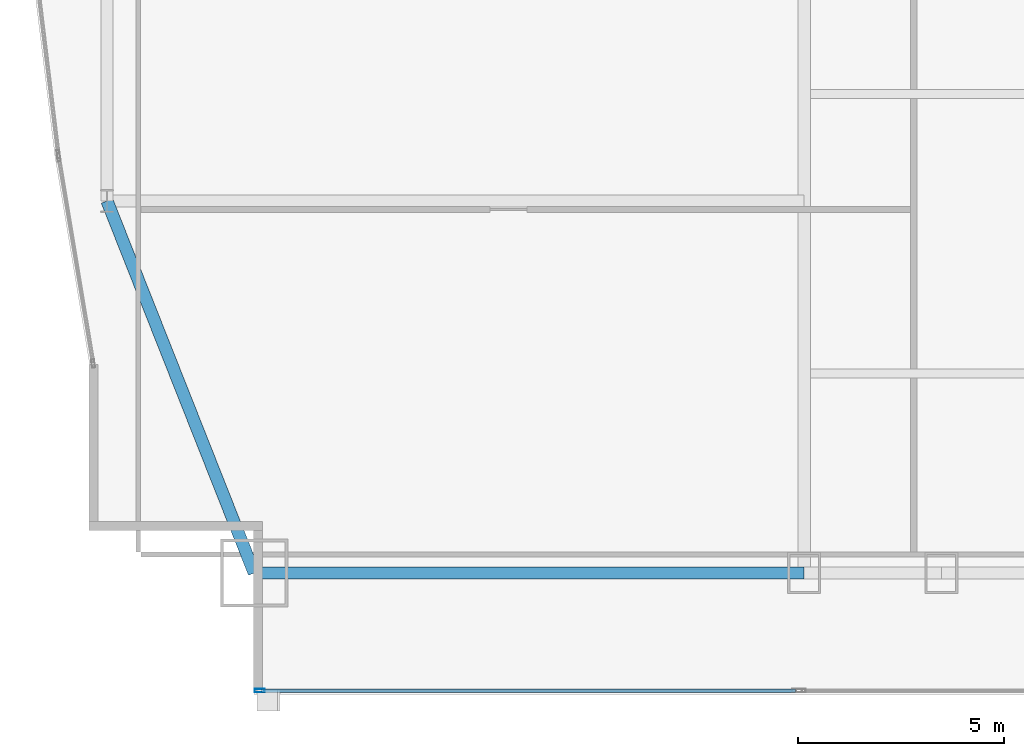
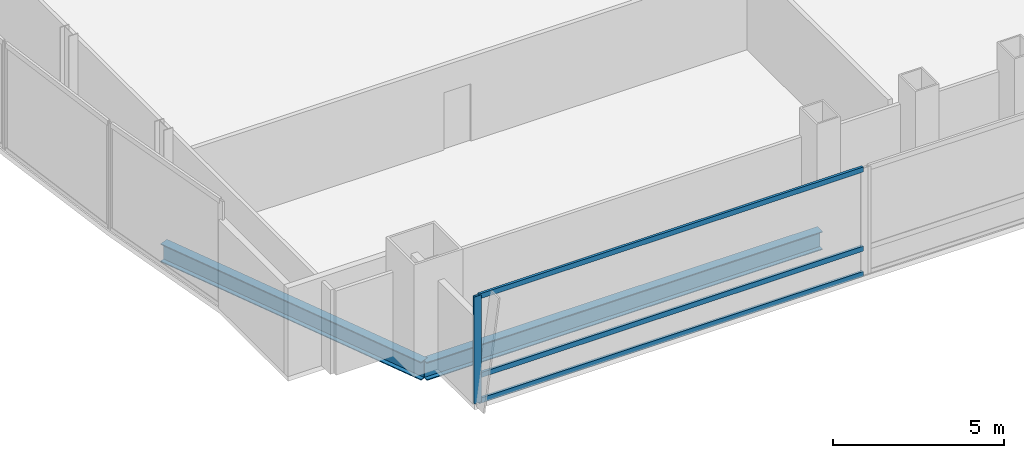
# One storey, part 5 of 32: 4 members, 2 beams, 1 element without a shape of its own.
"""IFC4 building model written with IfcOpenShell, lengths in metres."""

from ifc_helpers import new_model, si_unit, direction, frame, origin, origin_2d, place, context, subcontext, project, spatial, hollow_rectangle, i_section, extrude, material, material_profile, profile_set, type_object, element, aggregate, save


model = new_model("IFC4")

# Units and contexts
model_context = context("Model", 3, precision=1e-05, world=origin(), true_north=direction((0.0, 1.0)))
body_context = subcontext(model_context, "Body", "Model", "MODEL_VIEW")
ifc_project = project(units=[si_unit("LENGTHUNIT", "METRE"), si_unit("AREAUNIT", "SQUARE_METRE"), si_unit("VOLUMEUNIT", "CUBIC_METRE"), si_unit("PLANEANGLEUNIT", "RADIAN"), si_unit("MASSUNIT", "GRAM", prefix="KILO")], contexts=[model_context])

# Site, building, storey
site_placement = place(None, origin())
site = spatial("IfcSite", under=ifc_project, at=site_placement, CompositionType="ELEMENT")
building_placement = place(site_placement, origin())
building = spatial("IfcBuilding", under=site, at=building_placement, Name="Khoronbel Lancet Exchange", CompositionType="ELEMENT")
storey_placement = place(building_placement, frame((0.0, 0.0, 41.800048828125)))
storey = spatial("IfcBuildingStorey", under=building, at=storey_placement, Name="L09", CompositionType="ELEMENT", Elevation=41.800048828125)

# Beams
ifc_material_1 = material(Name="Steel S355", Category="steel")
ifc_material_profile_1 = material_profile(ifc_material_1, i_section(OverallWidth=0.300048828125, OverallDepth=0.64990234375, WebThickness=0.01611328125, FlangeThickness=0.031005859375, at=origin_2d()), Name="HEB 650")
ifc_profile_set_1 = profile_set([ifc_material_profile_1], Name="Steel S355")
beam_type = type_object("IfcBeamType", Name="BM-BSP1", PredefinedType="SPANDREL", material=ifc_profile_set_1)
beam_1_placement = place(storey_placement, frame((4.85009765625, 10.14990234375, -0.505126953125), z_axis=(1.0, 0.0, 0.0), x_axis=(0.0, 1.0, 0.0)))
element("IfcBeam", 1, at=beam_1_placement, inside=storey, type_object=beam_type, Name="Level L09 perimeter spandrel beam SP01", PredefinedType="SPANDREL", context=body_context, shape_type="SweptSolid", body=[
    extrude(i_section(OverallWidth=0.300048828125, OverallDepth=0.64990234375, WebThickness=0.01611328125, FlangeThickness=0.031005859375, at=origin_2d()), origin(), (0.0, 0.0, 1.0), 13.375),
])
beam_2_placement = place(storey_placement, frame((1.27001953125, 19.199951171875, -0.505126953125), z_axis=(0.367850095026, -0.92988510451, 0.0), x_axis=(0.92988510451, 0.367850095026, 0.0)))
element("IfcBeam", 2, at=beam_2_placement, inside=storey, type_object=beam_type, Name="Level L09 perimeter spandrel beam SP21", PredefinedType="SPANDREL", context=body_context, shape_type="SweptSolid", body=[
    extrude(i_section(OverallWidth=0.300048828125, OverallDepth=0.64990234375, WebThickness=0.01611328125, FlangeThickness=0.031005859375, at=origin_2d()), origin(), (0.0, 0.0, 1.0), 9.732421875),
])

# Curtain wall, members
ifc_material_2 = material(Name="Low-E Solar Control Insulating Glass", Category="glass")
curtain_wall_type = type_object("IfcCurtainWallType", Name="CW-1", PredefinedType="NOTDEFINED", material=ifc_material_2)
curtain_wall_placement = place(storey_placement, origin())
curtain_wall = element("IfcCurtainWall", 3, at=curtain_wall_placement, inside=storey, type_object=curtain_wall_type, Name="Unitised curtain wall CW-L09-SWV", PredefinedType="NOTDEFINED")
ifc_material_3 = material(Name="Bronze-Anodised Aluminium 6063-T6", Category="aluminium")
ifc_material_profile_2 = material_profile(ifc_material_3, hollow_rectangle(XDim=0.0849609375, YDim=0.239990234375, WallThickness=0.006103515625, at=origin_2d()), Name="ALU MULLION 85x240")
ifc_profile_set_2 = profile_set([ifc_material_profile_2], Name="Bronze-Anodised Aluminium 6063-T6")
member_type_1 = type_object("IfcMemberType", Name="MEM-CWM1", PredefinedType="MULLION", material=ifc_profile_set_2)
member_1_placement = place(storey_placement, frame((4.982421875, 7.2900390625, 0.0), z_axis=(0.0, 0.0, 1.0), x_axis=(0.0, 1.0, 0.0)))
member_1 = element("IfcMember", 4, at=member_1_placement, type_object=member_type_1, Name="CW1 mullion 1", PredefinedType="MULLION", context=body_context, shape_type="SweptSolid", body=[
    extrude(hollow_rectangle(XDim=0.0849609375, YDim=0.239990234375, WallThickness=0.006103515625, at=origin_2d()), origin(), (0.0, 0.0, 1.0), 3.820068359375),
])
ifc_material_profile_3 = material_profile(ifc_material_3, hollow_rectangle(XDim=0.0849609375, YDim=0.179931640625, WallThickness=0.0048828125, at=origin_2d()), Name="ALU TRANSOM 85x180")
ifc_profile_set_3 = profile_set([ifc_material_profile_3], Name="Bronze-Anodised Aluminium 6063-T6")
member_type_2 = type_object("IfcMemberType", Name="MEM-CWT1", PredefinedType="USERDEFINED", material=ifc_profile_set_3)
member_2_placement = place(storey_placement, frame((5.02490234375, 7.2900390625, 0.04248046875), z_axis=(1.0, 0.0, 0.0), x_axis=(0.0, 1.0, 0.0)))
member_2 = element("IfcMember", 5, at=member_2_placement, type_object=member_type_2, Name="CW1 transom 1.1", ObjectType="TRANSOM", PredefinedType="USERDEFINED", context=body_context, shape_type="SweptSolid", body=[
    extrude(hollow_rectangle(XDim=0.0849609375, YDim=0.179931640625, WallThickness=0.0048828125, at=origin_2d()), origin(), (0.0, 0.0, 1.0), 12.989990234375),
])
member_3_placement = place(storey_placement, frame((5.02490234375, 7.2900390625, 0.949951171875), z_axis=(1.0, 0.0, 0.0), x_axis=(0.0, 1.0, 0.0)))
member_3 = element("IfcMember", 6, at=member_3_placement, type_object=member_type_2, Name="CW1 transom 1.2", ObjectType="TRANSOM", PredefinedType="USERDEFINED", context=body_context, shape_type="SweptSolid", body=[
    extrude(hollow_rectangle(XDim=0.0849609375, YDim=0.179931640625, WallThickness=0.0048828125, at=origin_2d()), origin(), (0.0, 0.0, 1.0), 12.989990234375),
])
member_4_placement = place(storey_placement, frame((5.02490234375, 7.2900390625, 3.77734375), z_axis=(1.0, 0.0, 0.0), x_axis=(0.0, 1.0, 0.0)))
member_4 = element("IfcMember", 7, at=member_4_placement, type_object=member_type_2, Name="CW1 transom 1.3", ObjectType="TRANSOM", PredefinedType="USERDEFINED", context=body_context, shape_type="SweptSolid", body=[
    extrude(hollow_rectangle(XDim=0.0849609375, YDim=0.179931640625, WallThickness=0.0048828125, at=origin_2d()), origin(), (0.0, 0.0, 1.0), 12.989990234375),
])
aggregate(curtain_wall, [member_1, member_2, member_3, member_4])

save(model, "model.ifc")
